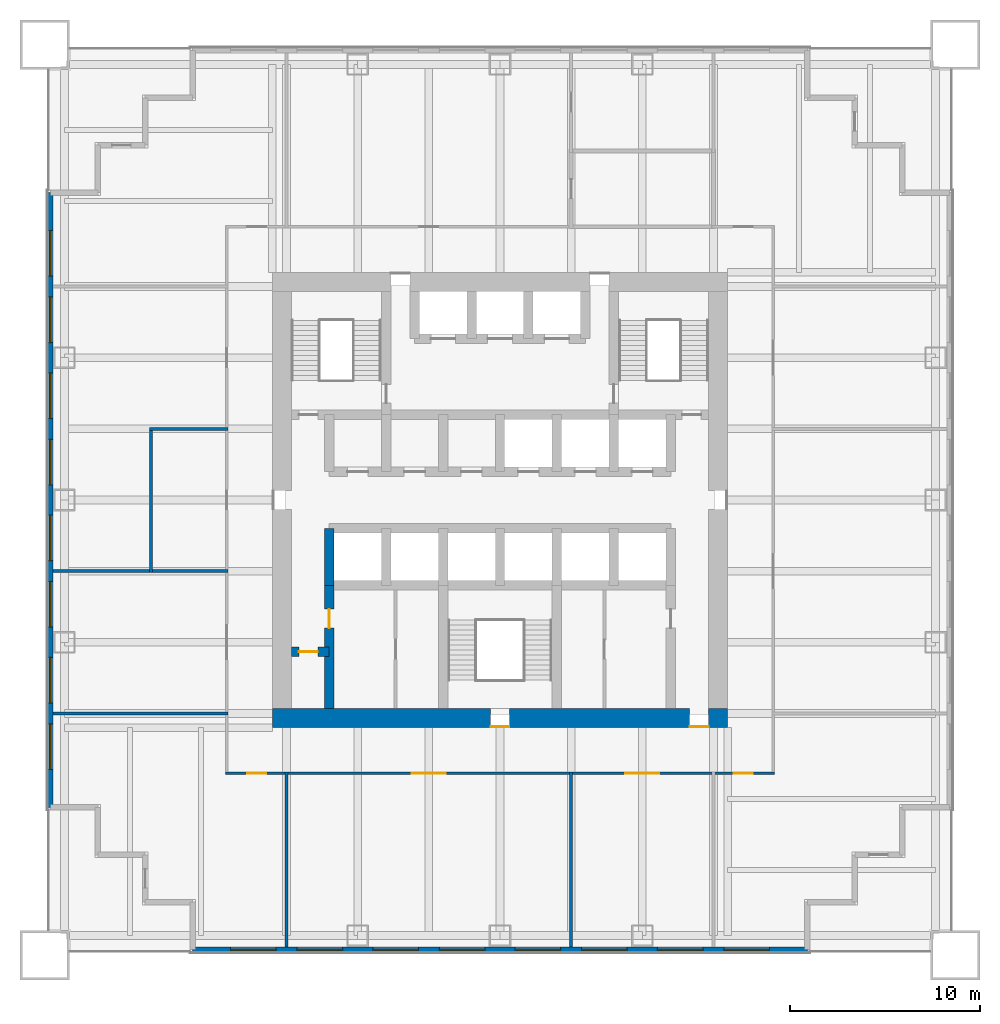
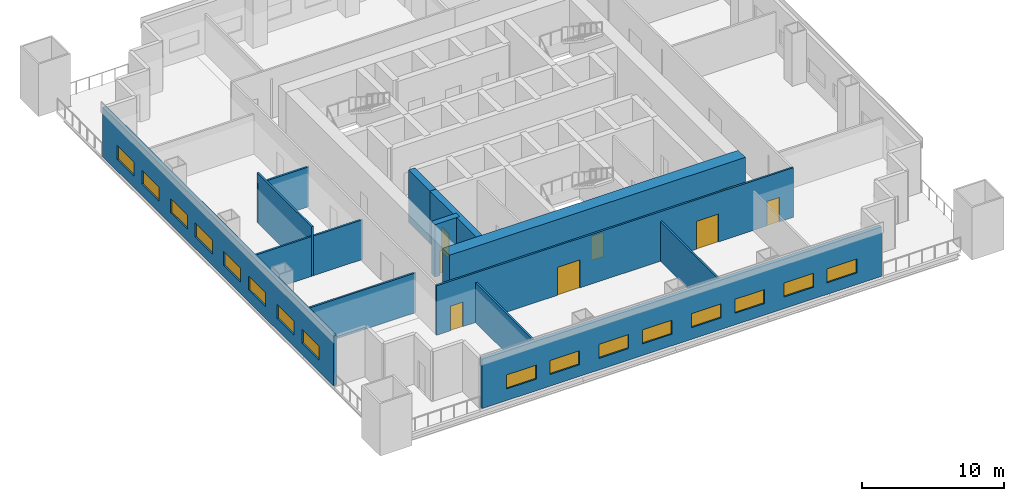
# One storey, part 2 of 7: 16 windows, 13 walls, 8 doors, 24 openings.
"""IFC4 building model written with IfcOpenShell, lengths in metres."""

import ifcopenshell
import ifcopenshell.guid

model = None  # the IFC model being written
_history = None  # IfcOwnerHistory: only IFC2X3 demands one
_inside = {}  # id of a spatial element -> (the spatial element, [elements in it])
_under = {}  # id of a project, library or spatial element -> (it, [spatial elements below it])
_declared = {}  # id of a project -> (the project, [libraries it declares])
_typed = {}  # id of a type object -> (the type object, [elements of that type])
_made_of = {}  # id of a material, layer set ... -> (it, [elements and type objects made of it])


def new_model(schema):
    """Start an empty IFC model of exactly this schema.

    Asked for "IFC4X3", IfcOpenShell would pick the latest addendum, in which some entities
    have other attributes; the version numbers below select the first issue.
    IFC2X3 requires an IfcOwnerHistory on every rooted entity: one is made here for all.
    """
    global model, _history
    if schema == "IFC4X3":
        model = ifcopenshell.file(schema_version=(4, 3, 0, 0))
    else:
        model = ifcopenshell.file(schema=schema)
    _inside.clear()
    _under.clear()
    _declared.clear()
    _typed.clear()
    _made_of.clear()
    _history = None
    if model.schema == "IFC2X3":
        org = make("IfcOrganization", Name="unknown")
        user = make(
            "IfcPersonAndOrganization",
            ThePerson=make("IfcPerson", FamilyName="unknown"),
            TheOrganization=org,
        )
        app = make(
            "IfcApplication",
            ApplicationDeveloper=org,
            Version="unknown",
            ApplicationFullName="unknown",
            ApplicationIdentifier="unknown",
        )
        _history = make(
            "IfcOwnerHistory",
            OwningUser=user,
            OwningApplication=app,
            ChangeAction="ADDED",
            CreationDate=0,
        )
    return model


def make(cls, **values):
    """One entity of the class cls with the attributes given. An attribute that is None is left unset."""
    return model.create_entity(
        cls, **{name: value for name, value in values.items() if value is not None}
    )


def rooted(cls, **values):
    """An entity with a GlobalId (a new one), such as an element, a storey or a relation."""
    return make(cls, GlobalId=ifcopenshell.guid.new(), OwnerHistory=_history, **values)


def si_unit(unit_type, name, prefix=None):
    """IfcSIUnit, for example si_unit("LENGTHUNIT", "METRE", prefix="MILLI")."""
    return make("IfcSIUnit", UnitType=unit_type, Prefix=prefix, Name=name)


def assignment(units):
    """IfcUnitAssignment: the units of a project."""
    return None if units is None else make("IfcUnitAssignment", Units=units)


def point(xyz):
    """IfcCartesianPoint."""
    return None if xyz is None else make("IfcCartesianPoint", Coordinates=xyz)


def direction(xyz):
    """IfcDirection."""
    return None if xyz is None else make("IfcDirection", DirectionRatios=xyz)


def frame(location, z_axis=None, x_axis=None):
    """IfcAxis2Placement3D, a coordinate frame: its origin and axes. An axis left out is left unset."""
    return make(
        "IfcAxis2Placement3D",
        Location=point(location),
        Axis=direction(z_axis),
        RefDirection=direction(x_axis),
    )


def frame_2d(location, x_axis=None):
    """IfcAxis2Placement2D, a coordinate frame in the plane: its origin and x axis."""
    return make(
        "IfcAxis2Placement2D", Location=point(location), RefDirection=direction(x_axis)
    )


def origin():
    """The frame at (0, 0, 0) with its axes left unset."""
    return frame((0.0, 0.0, 0.0))


def place(relative_to, where):
    """IfcLocalPlacement: puts the frame where relative to a parent placement (None: the world)."""
    return make(
        "IfcLocalPlacement", PlacementRelTo=relative_to, RelativePlacement=where
    )


def context(
    kind, dimensions, precision=None, world=None, true_north=None, identifier=None
):
    """IfcGeometricRepresentationContext, for example the 3D "Model" context."""
    return make(
        "IfcGeometricRepresentationContext",
        ContextIdentifier=identifier,
        ContextType=kind,
        CoordinateSpaceDimension=dimensions,
        Precision=precision,
        WorldCoordinateSystem=world,
        TrueNorth=true_north,
    )


def subcontext(parent, identifier, kind, view, scale=None):
    """IfcGeometricRepresentationSubContext, for example "Body" below "Model"."""
    return make(
        "IfcGeometricRepresentationSubContext",
        ContextIdentifier=identifier,
        ContextType=kind,
        ParentContext=parent,
        TargetScale=scale,
        TargetView=view,
    )


def project(units=None, contexts=None):
    """IfcProject with its units and contexts."""
    return rooted(
        "IfcProject",
        Name="project",
        RepresentationContexts=contexts,
        UnitsInContext=assignment(units),
    )


def spatial(cls, under=None, at=None, **own):
    """A site, building, storey or space (cls), placed at a placement, below another one or the project."""
    s = rooted(cls, ObjectPlacement=at, **own)
    if under is not None:
        _under.setdefault(under.id(), (under, []))[1].append(s)
    return s


def profile(cls, at=None, kind="AREA", **sizes):
    """A parametric profile (cls). Its sizes go by their IFC names, for example OverallWidth=200.0."""
    return make(cls, ProfileType=kind, Position=at, **sizes)


def rectangle(**sizes):
    """IfcRectangleProfileDef."""
    return profile("IfcRectangleProfileDef", **sizes)


def extrude(swept, where, along, depth):
    """IfcExtrudedAreaSolid: the profile swept, set in the frame where, extruded along a direction by depth."""
    return make(
        "IfcExtrudedAreaSolid",
        SweptArea=swept,
        Position=where,
        ExtrudedDirection=direction(along),
        Depth=depth,
    )


def shape(context_of_items, identifier, shape_type, items):
    """IfcShapeRepresentation: the items that make up one representation, for example the "Body"."""
    return make(
        "IfcShapeRepresentation",
        ContextOfItems=context_of_items,
        RepresentationIdentifier=identifier,
        RepresentationType=shape_type,
        Items=items,
    )


def material(Name=None, Category=None):
    """IfcMaterial."""
    return make("IfcMaterial", Name=Name, Category=Category)


def layer(
    of_material, thickness, ventilated=None, Name=None, Category=None, Priority=None
):
    """IfcMaterialLayer: one layer of a wall or slab, of a material (None: an air gap)."""
    return make(
        "IfcMaterialLayer",
        Material=of_material,
        LayerThickness=thickness,
        IsVentilated=ventilated,
        Name=Name,
        Category=Category,
        Priority=Priority,
    )


def layer_set(layers, Name=None):
    """IfcMaterialLayerSet."""
    return make("IfcMaterialLayerSet", MaterialLayers=layers, LayerSetName=Name)


def made_of(thing, what):
    """Note that an element or type object is made of a material, layer set ...; save() writes the relation."""
    if what is not None:
        _made_of.setdefault(what.id(), (what, []))[1].append(thing)
    return thing


def type_object(cls, material=None, **own):
    """A type object (cls), such as IfcWallType, which elements share."""
    return made_of(rooted(cls, **own), material)


def element(
    cls,
    number,
    at=None,
    inside=None,
    cuts=None,
    type_object=None,
    material=None,
    context=None,
    identifier="Body",
    shape_type=None,
    held_by="IfcProductDefinitionShape",
    body=None,
    shapes=None,
    **own,
):
    """One element of the class cls, such as IfcWall. Its Tag is "e" and its number.

    at: its placement. inside: the storey or other place that contains it. cuts: it is an
    opening in that element (IfcRelVoidsElement). A single representation is given by context,
    identifier, shape_type and body (its items); several are given by shapes. held_by: the class
    of the entity that holds the representations. save() writes the other relations.
    """
    e = rooted(cls, Tag="e%d" % number, ObjectPlacement=at, **own)
    if body is not None:
        shapes = [shape(context, identifier, shape_type, body)]
    if shapes is not None:
        e.Representation = make(held_by, Representations=shapes)
    if inside is not None:
        _inside.setdefault(inside.id(), (inside, []))[1].append(e)
    if cuts is not None:
        rooted(
            "IfcRelVoidsElement", RelatingBuildingElement=cuts, RelatedOpeningElement=e
        )
    if type_object is not None:
        _typed.setdefault(type_object.id(), (type_object, []))[1].append(e)
    return made_of(e, material)


def fill(opening, filler):
    """IfcRelFillsElement: the door or window that sits in an opening."""
    return rooted(
        "IfcRelFillsElement",
        RelatingOpeningElement=opening,
        RelatedBuildingElement=filler,
    )


def aggregate(whole, parts):
    """IfcRelAggregates: a whole, such as a stair, and the parts it consists of."""
    return rooted("IfcRelAggregates", RelatingObject=whole, RelatedObjects=parts)


def save(model, path):
    """Write the relations noted so far, then the file.

    IfcRelAggregates (storeys below a building ...), IfcRelContainedInSpatialStructure (elements
    in a storey), IfcRelDefinesByType, IfcRelAssociatesMaterial and IfcRelDeclares: one each for
    every whole, place, type object, material and project.
    """
    for whole, parts in _under.values():
        aggregate(whole, parts)
    for where, things in _inside.values():
        rooted(
            "IfcRelContainedInSpatialStructure",
            RelatedElements=things,
            RelatingStructure=where,
        )
    for kind, things in _typed.values():
        rooted("IfcRelDefinesByType", RelatedObjects=things, RelatingType=kind)
    for what, things in _made_of.values():
        rooted("IfcRelAssociatesMaterial", RelatedObjects=things, RelatingMaterial=what)
    for by, libraries in _declared.values():
        rooted("IfcRelDeclares", RelatingContext=by, RelatedDefinitions=libraries)
    model.write(path)


model = new_model("IFC4")

# Units and contexts
model_context = context("Model", 3, precision=1e-05, world=origin(), true_north=direction((0.0, 1.0)))
body_context = subcontext(model_context, "Body", "Model", "MODEL_VIEW")
ifc_project = project(units=[si_unit("LENGTHUNIT", "METRE"), si_unit("AREAUNIT", "SQUARE_METRE"), si_unit("VOLUMEUNIT", "CUBIC_METRE"), si_unit("PLANEANGLEUNIT", "RADIAN"), si_unit("MASSUNIT", "GRAM", prefix="KILO")], contexts=[model_context])

# Site, building, storey
site_placement = place(None, origin())
site = spatial("IfcSite", under=ifc_project, at=site_placement, CompositionType="ELEMENT")
building_placement = place(site_placement, origin())
building = spatial("IfcBuilding", under=site, at=building_placement, Name="Tarangal Relay Tower", CompositionType="ELEMENT")
storey_placement = place(building_placement, frame((0.0, 0.0, 167.39990234375)))
storey = spatial("IfcBuildingStorey", under=building, at=storey_placement, Name="L34", CompositionType="ELEMENT", Elevation=167.39990234375)

# Wall, opening, door
ifc_material_1 = material(Name="Concrete fc' 60 MPa", Category="concrete")
ifc_layer_1 = layer(ifc_material_1, 0.5)
ifc_layer_set_1 = layer_set([ifc_layer_1], Name="Core inner wall 500")
wall_type_1 = type_object("IfcWallType", Name="Core inner wall 500", PredefinedType="SHEAR", material=ifc_layer_set_1)
wall_1_placement = place(storey_placement, frame((-11.0, -8.0, 0.0), z_axis=(0.0, 0.0, 1.0), x_axis=(1.0, 0.0, 0.0)))
wall_1 = element("IfcWall", 1, at=wall_1_placement, inside=storey, type_object=wall_type_1, Name="Core wall YM8 L34", PredefinedType="SHEAR", context=body_context, shape_type="SweptSolid", body=[
    extrude(rectangle(XDim=2.0, YDim=0.5, at=frame_2d((1.0, 0.0))), origin(), (0.0, 0.0, 1.0), 4.5),
])
opening_1_placement = place(wall_1_placement, frame((0.39990234375, 0.0, 0.0)))
opening_1 = element("IfcOpeningElement", 2, at=opening_1_placement, cuts=wall_1, Name="Opening D1", PredefinedType="OPENING", context=body_context, shape_type="SweptSolid", body=[
    extrude(rectangle(XDim=1.0, YDim=2.10009765625, at=frame_2d((0.5, 1.050048828125))), frame((0.0, 0.260009765625, 0.0), z_axis=(0.0, -1.0, 0.0), x_axis=(1.0, 0.0, 0.0)), (0.0, 0.0, 1.0), 0.52001953125),
])
ifc_material_2 = material(Name="Hardwood door", Category="wood")
door_type_1 = type_object("IfcDoorType", Name="WC door 1000 x 2100", OperationType="SINGLE_SWING_LEFT", PredefinedType="DOOR", material=ifc_material_2)
door_1_placement = place(opening_1_placement, origin())
door_1 = element("IfcDoor", 3, at=door_1_placement, inside=storey, type_object=door_type_1, Name="Accessible WC door L34", OperationType="SINGLE_SWING_LEFT", OverallHeight=2.10009765625, OverallWidth=1.0, PredefinedType="DOOR", context=body_context, shape_type="SweptSolid", body=[
    extrude(rectangle(XDim=1.0, YDim=2.10009765625, at=frame_2d((0.5, 1.050048828125))), frame((0.0, 0.02490234375, 0.0), z_axis=(0.0, -1.0, 0.0), x_axis=(1.0, 0.0, 0.0)), (0.0, 0.0, 1.0), 0.050048828125),
])
fill(opening_1, door_1)

# Wall
wall_2_placement = place(storey_placement, frame((-9.0, -4.5, 0.0), z_axis=(0.0, 0.0, 1.0), x_axis=(0.0, 1.0, 0.0)))
element("IfcWall", 4, at=wall_2_placement, inside=storey, type_object=wall_type_1, Name="Core wall XM9S L34", PredefinedType="SHEAR", context=body_context, shape_type="SweptSolid", body=[
    extrude(rectangle(XDim=3.0, YDim=0.5, at=frame_2d((1.5, 0.0))), origin(), (0.0, 0.0, 1.0), 4.5),
])

# Wall, opening, door
wall_3_placement = place(storey_placement, frame((-9.0, -11.0, 0.0), z_axis=(0.0, 0.0, 1.0), x_axis=(0.0, 1.0, 0.0)))
wall_3 = element("IfcWall", 5, at=wall_3_placement, inside=storey, type_object=wall_type_1, Name="Core wall XM9W L34", PredefinedType="SHEAR", context=body_context, shape_type="SweptSolid", body=[
    extrude(rectangle(XDim=6.5, YDim=0.5, at=frame_2d((3.25, 0.0))), origin(), (0.0, 0.0, 1.0), 4.5),
])
opening_2_placement = place(wall_3_placement, frame((4.25, 0.0, 0.0)))
opening_2 = element("IfcOpeningElement", 6, at=opening_2_placement, cuts=wall_3, Name="Opening D1", PredefinedType="OPENING", context=body_context, shape_type="SweptSolid", body=[
    extrude(rectangle(XDim=1.0, YDim=2.10009765625, at=frame_2d((0.5, 1.050048828125))), frame((0.0, 0.260009765625, 0.0), z_axis=(0.0, -1.0, 0.0), x_axis=(1.0, 0.0, 0.0)), (0.0, 0.0, 1.0), 0.52001953125),
])
door_2_placement = place(opening_2_placement, origin())
door_2 = element("IfcDoor", 7, at=door_2_placement, inside=storey, type_object=door_type_1, Name="Male WC door L34", OperationType="SINGLE_SWING_LEFT", OverallHeight=2.10009765625, OverallWidth=1.0, PredefinedType="DOOR", context=body_context, shape_type="SweptSolid", body=[
    extrude(rectangle(XDim=1.0, YDim=2.10009765625, at=frame_2d((0.5, 1.050048828125))), frame((0.0, 0.02490234375, 0.0), z_axis=(0.0, -1.0, 0.0), x_axis=(1.0, 0.0, 0.0)), (0.0, 0.0, 1.0), 0.050048828125),
])
fill(opening_2, door_2)

# Wall, openings, doors
ifc_layer_2 = layer(ifc_material_1, 1.0)
ifc_layer_set_2 = layer_set([ifc_layer_2], Name="Core wall 1000")
wall_type_2 = type_object("IfcWallType", Name="Core wall 1000", PredefinedType="SHEAR", material=ifc_layer_set_2)
wall_4_placement = place(storey_placement, frame((12.0, -11.5, 0.0), z_axis=(0.0, 0.0, 1.0), x_axis=(-1.0, 0.0, 0.0)))
wall_4 = element("IfcWall", 8, at=wall_4_placement, inside=storey, type_object=wall_type_2, Name="Core wall S L34", PredefinedType="SHEAR", context=body_context, shape_type="SweptSolid", body=[
    extrude(rectangle(XDim=24.0, YDim=1.0, at=frame_2d((12.0, 0.0))), origin(), (0.0, 0.0, 1.0), 4.5),
])
opening_3_placement = place(wall_4_placement, frame((11.5, 0.0, 0.0)))
opening_3 = element("IfcOpeningElement", 9, at=opening_3_placement, cuts=wall_4, Name="Opening FD1", PredefinedType="OPENING", context=body_context, shape_type="SweptSolid", body=[
    extrude(rectangle(XDim=1.0, YDim=2.10009765625, at=frame_2d((0.5, 1.050048828125))), frame((0.0, 0.510009765625, 0.0), z_axis=(0.0, -1.0, 0.0), x_axis=(1.0, 0.0, 0.0)), (0.0, 0.0, 1.0), 1.02001953125),
])
opening_4_placement = place(wall_4_placement, frame((1.0, 0.0, 0.0)))
opening_4 = element("IfcOpeningElement", 10, at=opening_4_placement, cuts=wall_4, Name="Opening FD3", PredefinedType="OPENING", context=body_context, shape_type="SweptSolid", body=[
    extrude(rectangle(XDim=1.0, YDim=2.39990234375, at=frame_2d((0.5, 1.199951171875))), frame((0.0, 0.510009765625, 0.0), z_axis=(0.0, -1.0, 0.0), x_axis=(1.0, 0.0, 0.0)), (0.0, 0.0, 1.0), 1.02001953125),
])
ifc_material_3 = material(Name="Steel door with hardwood frame", Category="steel")
door_type_2 = type_object("IfcDoorType", Name="Fire door 1000 x 2100", OperationType="SINGLE_SWING_LEFT", PredefinedType="DOOR", material=ifc_material_3)
door_3_placement = place(opening_3_placement, origin())
door_3 = element("IfcDoor", 11, at=door_3_placement, inside=storey, type_object=door_type_2, Name="Stair ST-C door L34", OperationType="SINGLE_SWING_LEFT", OverallHeight=2.10009765625, OverallWidth=1.0, PredefinedType="DOOR", context=body_context, shape_type="SweptSolid", body=[
    extrude(rectangle(XDim=1.0, YDim=2.10009765625, at=frame_2d((0.5, 1.050048828125))), frame((0.0, 0.48486328125, 0.0), z_axis=(0.0, -1.0, 0.0), x_axis=(1.0, 0.0, 0.0)), (0.0, 0.0, 1.0), 0.050048828125),
])
fill(opening_3, door_3)
door_type_3 = type_object("IfcDoorType", Name="Fire door 1000 x 2400 core entry", OperationType="SINGLE_SWING_RIGHT", PredefinedType="DOOR", material=ifc_material_3)
door_4_placement = place(opening_4_placement, origin())
door_4 = element("IfcDoor", 12, at=door_4_placement, inside=storey, type_object=door_type_3, Name="Core entry door south east L34", OperationType="SINGLE_SWING_RIGHT", OverallHeight=2.39990234375, OverallWidth=1.0, PredefinedType="DOOR", context=body_context, shape_type="SweptSolid", body=[
    extrude(rectangle(XDim=1.0, YDim=2.39990234375, at=frame_2d((0.5, 1.199951171875))), frame((0.0, 0.48486328125, 0.0), z_axis=(0.0, -1.0, 0.0), x_axis=(1.0, 0.0, 0.0)), (0.0, 0.0, 1.0), 0.050048828125),
])
fill(opening_4, door_4)

# Wall, openings, windows
ifc_material_4 = material(Name="Insulated precast concrete fc' 40 MPa", Category="concrete")
ifc_layer_3 = layer(ifc_material_4, 0.300048828125)
ifc_layer_set_3 = layer_set([ifc_layer_3], Name="Insulated precast concrete fc' 40 MPa")
wall_type_3 = type_object("IfcWallType", Name="Facade wall precast 300", PredefinedType="SOLIDWALL", material=ifc_layer_set_3)
wall_5_placement = place(storey_placement, frame((16.199951171875, -23.699951171875, 0.0), z_axis=(0.0, 0.0, 1.0), x_axis=(-1.0, 0.0, 0.0)))
wall_5 = element("IfcWall", 13, at=wall_5_placement, inside=storey, type_object=wall_type_3, Name="Facade wall S facade L34", PredefinedType="SOLIDWALL", context=body_context, shape_type="SweptSolid", body=[
    extrude(rectangle(XDim=32.39990234375, YDim=0.300048828125, at=frame_2d((16.199951171875, 0.0))), origin(), (0.0, 0.0, 1.0), 4.25),
])
opening_5_placement = place(wall_5_placement, frame((2.0, 0.0, 1.0)))
opening_5 = element("IfcOpeningElement", 14, at=opening_5_placement, cuts=wall_5, Name="Opening WN1", PredefinedType="OPENING", context=body_context, shape_type="SweptSolid", body=[
    extrude(rectangle(XDim=2.39990234375, YDim=1.199951171875, at=frame_2d((1.199951171875, 0.60009765625))), frame((0.0, 0.159912109375, 0.0), z_axis=(0.0, -1.0, 0.0), x_axis=(1.0, 0.0, 0.0)), (0.0, 0.0, 1.0), 0.320068359375),
])
opening_6_placement = place(wall_5_placement, frame((5.5, 0.0, 1.0)))
opening_6 = element("IfcOpeningElement", 15, at=opening_6_placement, cuts=wall_5, Name="Opening WN1", PredefinedType="OPENING", context=body_context, shape_type="SweptSolid", body=[
    extrude(rectangle(XDim=2.39990234375, YDim=1.199951171875, at=frame_2d((1.199951171875, 0.60009765625))), frame((0.0, 0.159912109375, 0.0), z_axis=(0.0, -1.0, 0.0), x_axis=(1.0, 0.0, 0.0)), (0.0, 0.0, 1.0), 0.320068359375),
])
opening_7_placement = place(wall_5_placement, frame((9.5, 0.0, 1.0)))
opening_7 = element("IfcOpeningElement", 16, at=opening_7_placement, cuts=wall_5, Name="Opening WN1", PredefinedType="OPENING", context=body_context, shape_type="SweptSolid", body=[
    extrude(rectangle(XDim=2.39990234375, YDim=1.199951171875, at=frame_2d((1.199951171875, 0.60009765625))), frame((0.0, 0.159912109375, 0.0), z_axis=(0.0, -1.0, 0.0), x_axis=(1.0, 0.0, 0.0)), (0.0, 0.0, 1.0), 0.320068359375),
])
opening_8_placement = place(wall_5_placement, frame((13.0, 0.0, 1.0)))
opening_8 = element("IfcOpeningElement", 17, at=opening_8_placement, cuts=wall_5, Name="Opening WN1", PredefinedType="OPENING", context=body_context, shape_type="SweptSolid", body=[
    extrude(rectangle(XDim=2.39990234375, YDim=1.199951171875, at=frame_2d((1.199951171875, 0.60009765625))), frame((0.0, 0.159912109375, 0.0), z_axis=(0.0, -1.0, 0.0), x_axis=(1.0, 0.0, 0.0)), (0.0, 0.0, 1.0), 0.320068359375),
])
opening_9_placement = place(wall_5_placement, frame((17.0, 0.0, 1.0)))
opening_9 = element("IfcOpeningElement", 18, at=opening_9_placement, cuts=wall_5, Name="Opening WN1", PredefinedType="OPENING", context=body_context, shape_type="SweptSolid", body=[
    extrude(rectangle(XDim=2.39990234375, YDim=1.199951171875, at=frame_2d((1.199951171875, 0.60009765625))), frame((0.0, 0.159912109375, 0.0), z_axis=(0.0, -1.0, 0.0), x_axis=(1.0, 0.0, 0.0)), (0.0, 0.0, 1.0), 0.320068359375),
])
opening_10_placement = place(wall_5_placement, frame((20.5, 0.0, 1.0)))
opening_10 = element("IfcOpeningElement", 19, at=opening_10_placement, cuts=wall_5, Name="Opening WN1", PredefinedType="OPENING", context=body_context, shape_type="SweptSolid", body=[
    extrude(rectangle(XDim=2.39990234375, YDim=1.199951171875, at=frame_2d((1.199951171875, 0.60009765625))), frame((0.0, 0.159912109375, 0.0), z_axis=(0.0, -1.0, 0.0), x_axis=(1.0, 0.0, 0.0)), (0.0, 0.0, 1.0), 0.320068359375),
])
opening_11_placement = place(wall_5_placement, frame((24.5, 0.0, 1.0)))
opening_11 = element("IfcOpeningElement", 20, at=opening_11_placement, cuts=wall_5, Name="Opening WN1", PredefinedType="OPENING", context=body_context, shape_type="SweptSolid", body=[
    extrude(rectangle(XDim=2.39990234375, YDim=1.199951171875, at=frame_2d((1.199951171875, 0.60009765625))), frame((0.0, 0.159912109375, 0.0), z_axis=(0.0, -1.0, 0.0), x_axis=(1.0, 0.0, 0.0)), (0.0, 0.0, 1.0), 0.320068359375),
])
opening_12_placement = place(wall_5_placement, frame((28.0, 0.0, 1.0)))
opening_12 = element("IfcOpeningElement", 21, at=opening_12_placement, cuts=wall_5, Name="Opening WN1", PredefinedType="OPENING", context=body_context, shape_type="SweptSolid", body=[
    extrude(rectangle(XDim=2.39990234375, YDim=1.199951171875, at=frame_2d((1.199951171875, 0.60009765625))), frame((0.0, 0.159912109375, 0.0), z_axis=(0.0, -1.0, 0.0), x_axis=(1.0, 0.0, 0.0)), (0.0, 0.0, 1.0), 0.320068359375),
])
ifc_material_5 = material(Name="Dark tinted double glazing in black aluminium frame", Category="aluminium")
window_type = type_object("IfcWindowType", Name="Ribbon window 2400 x 1200", PartitioningType="SINGLE_PANEL", PredefinedType="WINDOW", material=ifc_material_5)
window_1_placement = place(opening_5_placement, origin())
window_1 = element("IfcWindow", 22, at=window_1_placement, inside=storey, type_object=window_type, Name="Ribbon window WN1 S facade L34", OverallHeight=1.199951171875, OverallWidth=2.39990234375, PartitioningType="SINGLE_PANEL", PredefinedType="WINDOW", context=body_context, shape_type="SweptSolid", body=[
    extrude(rectangle(XDim=2.39990234375, YDim=1.199951171875, at=frame_2d((1.199951171875, 0.60009765625))), frame((0.0, 0.030029296875, 0.0), z_axis=(0.0, -1.0, 0.0), x_axis=(1.0, 0.0, 0.0)), (0.0, 0.0, 1.0), 0.06005859375),
])
fill(opening_5, window_1)
window_2_placement = place(opening_6_placement, origin())
window_2 = element("IfcWindow", 23, at=window_2_placement, inside=storey, type_object=window_type, Name="Ribbon window WN1 S facade L34", OverallHeight=1.199951171875, OverallWidth=2.39990234375, PartitioningType="SINGLE_PANEL", PredefinedType="WINDOW", context=body_context, shape_type="SweptSolid", body=[
    extrude(rectangle(XDim=2.39990234375, YDim=1.199951171875, at=frame_2d((1.199951171875, 0.60009765625))), frame((0.0, 0.030029296875, 0.0), z_axis=(0.0, -1.0, 0.0), x_axis=(1.0, 0.0, 0.0)), (0.0, 0.0, 1.0), 0.06005859375),
])
fill(opening_6, window_2)
window_3_placement = place(opening_7_placement, origin())
window_3 = element("IfcWindow", 24, at=window_3_placement, inside=storey, type_object=window_type, Name="Ribbon window WN1 S facade L34", OverallHeight=1.199951171875, OverallWidth=2.39990234375, PartitioningType="SINGLE_PANEL", PredefinedType="WINDOW", context=body_context, shape_type="SweptSolid", body=[
    extrude(rectangle(XDim=2.39990234375, YDim=1.199951171875, at=frame_2d((1.199951171875, 0.60009765625))), frame((0.0, 0.030029296875, 0.0), z_axis=(0.0, -1.0, 0.0), x_axis=(1.0, 0.0, 0.0)), (0.0, 0.0, 1.0), 0.06005859375),
])
fill(opening_7, window_3)
window_4_placement = place(opening_8_placement, origin())
window_4 = element("IfcWindow", 25, at=window_4_placement, inside=storey, type_object=window_type, Name="Ribbon window WN1 S facade L34", OverallHeight=1.199951171875, OverallWidth=2.39990234375, PartitioningType="SINGLE_PANEL", PredefinedType="WINDOW", context=body_context, shape_type="SweptSolid", body=[
    extrude(rectangle(XDim=2.39990234375, YDim=1.199951171875, at=frame_2d((1.199951171875, 0.60009765625))), frame((0.0, 0.030029296875, 0.0), z_axis=(0.0, -1.0, 0.0), x_axis=(1.0, 0.0, 0.0)), (0.0, 0.0, 1.0), 0.06005859375),
])
fill(opening_8, window_4)
window_5_placement = place(opening_9_placement, origin())
window_5 = element("IfcWindow", 26, at=window_5_placement, inside=storey, type_object=window_type, Name="Ribbon window WN1 S facade L34", OverallHeight=1.199951171875, OverallWidth=2.39990234375, PartitioningType="SINGLE_PANEL", PredefinedType="WINDOW", context=body_context, shape_type="SweptSolid", body=[
    extrude(rectangle(XDim=2.39990234375, YDim=1.199951171875, at=frame_2d((1.199951171875, 0.60009765625))), frame((0.0, 0.030029296875, 0.0), z_axis=(0.0, -1.0, 0.0), x_axis=(1.0, 0.0, 0.0)), (0.0, 0.0, 1.0), 0.06005859375),
])
fill(opening_9, window_5)
window_6_placement = place(opening_10_placement, origin())
window_6 = element("IfcWindow", 27, at=window_6_placement, inside=storey, type_object=window_type, Name="Ribbon window WN1 S facade L34", OverallHeight=1.199951171875, OverallWidth=2.39990234375, PartitioningType="SINGLE_PANEL", PredefinedType="WINDOW", context=body_context, shape_type="SweptSolid", body=[
    extrude(rectangle(XDim=2.39990234375, YDim=1.199951171875, at=frame_2d((1.199951171875, 0.60009765625))), frame((0.0, 0.030029296875, 0.0), z_axis=(0.0, -1.0, 0.0), x_axis=(1.0, 0.0, 0.0)), (0.0, 0.0, 1.0), 0.06005859375),
])
fill(opening_10, window_6)
window_7_placement = place(opening_11_placement, origin())
window_7 = element("IfcWindow", 28, at=window_7_placement, inside=storey, type_object=window_type, Name="Ribbon window WN1 S facade L34", OverallHeight=1.199951171875, OverallWidth=2.39990234375, PartitioningType="SINGLE_PANEL", PredefinedType="WINDOW", context=body_context, shape_type="SweptSolid", body=[
    extrude(rectangle(XDim=2.39990234375, YDim=1.199951171875, at=frame_2d((1.199951171875, 0.60009765625))), frame((0.0, 0.030029296875, 0.0), z_axis=(0.0, -1.0, 0.0), x_axis=(1.0, 0.0, 0.0)), (0.0, 0.0, 1.0), 0.06005859375),
])
fill(opening_11, window_7)
window_8_placement = place(opening_12_placement, origin())
window_8 = element("IfcWindow", 29, at=window_8_placement, inside=storey, type_object=window_type, Name="Ribbon window WN1 S facade L34", OverallHeight=1.199951171875, OverallWidth=2.39990234375, PartitioningType="SINGLE_PANEL", PredefinedType="WINDOW", context=body_context, shape_type="SweptSolid", body=[
    extrude(rectangle(XDim=2.39990234375, YDim=1.199951171875, at=frame_2d((1.199951171875, 0.60009765625))), frame((0.0, 0.030029296875, 0.0), z_axis=(0.0, -1.0, 0.0), x_axis=(1.0, 0.0, 0.0)), (0.0, 0.0, 1.0), 0.06005859375),
])
fill(opening_12, window_8)

wall_6_placement = place(storey_placement, frame((-23.699951171875, -16.199951171875, 0.0), z_axis=(0.0, 0.0, 1.0), x_axis=(0.0, 1.0, 0.0)))
wall_6 = element("IfcWall", 30, at=wall_6_placement, inside=storey, type_object=wall_type_3, Name="Facade wall W facade L34", PredefinedType="SOLIDWALL", context=body_context, shape_type="SweptSolid", body=[
    extrude(rectangle(XDim=32.39990234375, YDim=0.300048828125, at=frame_2d((16.199951171875, 0.0))), origin(), (0.0, 0.0, 1.0), 4.25),
])
opening_13_placement = place(wall_6_placement, frame((2.0, 0.0, 1.0)))
opening_13 = element("IfcOpeningElement", 31, at=opening_13_placement, cuts=wall_6, Name="Opening WN1", PredefinedType="OPENING", context=body_context, shape_type="SweptSolid", body=[
    extrude(rectangle(XDim=2.39990234375, YDim=1.199951171875, at=frame_2d((1.199951171875, 0.60009765625))), frame((0.0, 0.159912109375, 0.0), z_axis=(0.0, -1.0, 0.0), x_axis=(1.0, 0.0, 0.0)), (0.0, 0.0, 1.0), 0.320068359375),
])
opening_14_placement = place(wall_6_placement, frame((5.5, 0.0, 1.0)))
opening_14 = element("IfcOpeningElement", 32, at=opening_14_placement, cuts=wall_6, Name="Opening WN1", PredefinedType="OPENING", context=body_context, shape_type="SweptSolid", body=[
    extrude(rectangle(XDim=2.39990234375, YDim=1.199951171875, at=frame_2d((1.199951171875, 0.60009765625))), frame((0.0, 0.159912109375, 0.0), z_axis=(0.0, -1.0, 0.0), x_axis=(1.0, 0.0, 0.0)), (0.0, 0.0, 1.0), 0.320068359375),
])
opening_15_placement = place(wall_6_placement, frame((9.5, 0.0, 1.0)))
opening_15 = element("IfcOpeningElement", 33, at=opening_15_placement, cuts=wall_6, Name="Opening WN1", PredefinedType="OPENING", context=body_context, shape_type="SweptSolid", body=[
    extrude(rectangle(XDim=2.39990234375, YDim=1.199951171875, at=frame_2d((1.199951171875, 0.60009765625))), frame((0.0, 0.159912109375, 0.0), z_axis=(0.0, -1.0, 0.0), x_axis=(1.0, 0.0, 0.0)), (0.0, 0.0, 1.0), 0.320068359375),
])
opening_16_placement = place(wall_6_placement, frame((13.0, 0.0, 1.0)))
opening_16 = element("IfcOpeningElement", 34, at=opening_16_placement, cuts=wall_6, Name="Opening WN1", PredefinedType="OPENING", context=body_context, shape_type="SweptSolid", body=[
    extrude(rectangle(XDim=2.39990234375, YDim=1.199951171875, at=frame_2d((1.199951171875, 0.60009765625))), frame((0.0, 0.159912109375, 0.0), z_axis=(0.0, -1.0, 0.0), x_axis=(1.0, 0.0, 0.0)), (0.0, 0.0, 1.0), 0.320068359375),
])
opening_17_placement = place(wall_6_placement, frame((17.0, 0.0, 1.0)))
opening_17 = element("IfcOpeningElement", 35, at=opening_17_placement, cuts=wall_6, Name="Opening WN1", PredefinedType="OPENING", context=body_context, shape_type="SweptSolid", body=[
    extrude(rectangle(XDim=2.39990234375, YDim=1.199951171875, at=frame_2d((1.199951171875, 0.60009765625))), frame((0.0, 0.159912109375, 0.0), z_axis=(0.0, -1.0, 0.0), x_axis=(1.0, 0.0, 0.0)), (0.0, 0.0, 1.0), 0.320068359375),
])
opening_18_placement = place(wall_6_placement, frame((20.5, 0.0, 1.0)))
opening_18 = element("IfcOpeningElement", 36, at=opening_18_placement, cuts=wall_6, Name="Opening WN1", PredefinedType="OPENING", context=body_context, shape_type="SweptSolid", body=[
    extrude(rectangle(XDim=2.39990234375, YDim=1.199951171875, at=frame_2d((1.199951171875, 0.60009765625))), frame((0.0, 0.159912109375, 0.0), z_axis=(0.0, -1.0, 0.0), x_axis=(1.0, 0.0, 0.0)), (0.0, 0.0, 1.0), 0.320068359375),
])
opening_19_placement = place(wall_6_placement, frame((24.5, 0.0, 1.0)))
opening_19 = element("IfcOpeningElement", 37, at=opening_19_placement, cuts=wall_6, Name="Opening WN1", PredefinedType="OPENING", context=body_context, shape_type="SweptSolid", body=[
    extrude(rectangle(XDim=2.39990234375, YDim=1.199951171875, at=frame_2d((1.199951171875, 0.60009765625))), frame((0.0, 0.159912109375, 0.0), z_axis=(0.0, -1.0, 0.0), x_axis=(1.0, 0.0, 0.0)), (0.0, 0.0, 1.0), 0.320068359375),
])
opening_20_placement = place(wall_6_placement, frame((28.0, 0.0, 1.0)))
opening_20 = element("IfcOpeningElement", 38, at=opening_20_placement, cuts=wall_6, Name="Opening WN1", PredefinedType="OPENING", context=body_context, shape_type="SweptSolid", body=[
    extrude(rectangle(XDim=2.39990234375, YDim=1.199951171875, at=frame_2d((1.199951171875, 0.60009765625))), frame((0.0, 0.159912109375, 0.0), z_axis=(0.0, -1.0, 0.0), x_axis=(1.0, 0.0, 0.0)), (0.0, 0.0, 1.0), 0.320068359375),
])
window_9_placement = place(opening_13_placement, origin())
window_9 = element("IfcWindow", 39, at=window_9_placement, inside=storey, type_object=window_type, Name="Ribbon window WN1 W facade L34", OverallHeight=1.199951171875, OverallWidth=2.39990234375, PartitioningType="SINGLE_PANEL", PredefinedType="WINDOW", context=body_context, shape_type="SweptSolid", body=[
    extrude(rectangle(XDim=2.39990234375, YDim=1.199951171875, at=frame_2d((1.199951171875, 0.60009765625))), frame((0.0, 0.030029296875, 0.0), z_axis=(0.0, -1.0, 0.0), x_axis=(1.0, 0.0, 0.0)), (0.0, 0.0, 1.0), 0.06005859375),
])
fill(opening_13, window_9)
window_10_placement = place(opening_14_placement, origin())
window_10 = element("IfcWindow", 40, at=window_10_placement, inside=storey, type_object=window_type, Name="Ribbon window WN1 W facade L34", OverallHeight=1.199951171875, OverallWidth=2.39990234375, PartitioningType="SINGLE_PANEL", PredefinedType="WINDOW", context=body_context, shape_type="SweptSolid", body=[
    extrude(rectangle(XDim=2.39990234375, YDim=1.199951171875, at=frame_2d((1.199951171875, 0.60009765625))), frame((0.0, 0.030029296875, 0.0), z_axis=(0.0, -1.0, 0.0), x_axis=(1.0, 0.0, 0.0)), (0.0, 0.0, 1.0), 0.06005859375),
])
fill(opening_14, window_10)
window_11_placement = place(opening_15_placement, origin())
window_11 = element("IfcWindow", 41, at=window_11_placement, inside=storey, type_object=window_type, Name="Ribbon window WN1 W facade L34", OverallHeight=1.199951171875, OverallWidth=2.39990234375, PartitioningType="SINGLE_PANEL", PredefinedType="WINDOW", context=body_context, shape_type="SweptSolid", body=[
    extrude(rectangle(XDim=2.39990234375, YDim=1.199951171875, at=frame_2d((1.199951171875, 0.60009765625))), frame((0.0, 0.030029296875, 0.0), z_axis=(0.0, -1.0, 0.0), x_axis=(1.0, 0.0, 0.0)), (0.0, 0.0, 1.0), 0.06005859375),
])
fill(opening_15, window_11)
window_12_placement = place(opening_16_placement, origin())
window_12 = element("IfcWindow", 42, at=window_12_placement, inside=storey, type_object=window_type, Name="Ribbon window WN1 W facade L34", OverallHeight=1.199951171875, OverallWidth=2.39990234375, PartitioningType="SINGLE_PANEL", PredefinedType="WINDOW", context=body_context, shape_type="SweptSolid", body=[
    extrude(rectangle(XDim=2.39990234375, YDim=1.199951171875, at=frame_2d((1.199951171875, 0.60009765625))), frame((0.0, 0.030029296875, 0.0), z_axis=(0.0, -1.0, 0.0), x_axis=(1.0, 0.0, 0.0)), (0.0, 0.0, 1.0), 0.06005859375),
])
fill(opening_16, window_12)
window_13_placement = place(opening_17_placement, origin())
window_13 = element("IfcWindow", 43, at=window_13_placement, inside=storey, type_object=window_type, Name="Ribbon window WN1 W facade L34", OverallHeight=1.199951171875, OverallWidth=2.39990234375, PartitioningType="SINGLE_PANEL", PredefinedType="WINDOW", context=body_context, shape_type="SweptSolid", body=[
    extrude(rectangle(XDim=2.39990234375, YDim=1.199951171875, at=frame_2d((1.199951171875, 0.60009765625))), frame((0.0, 0.030029296875, 0.0), z_axis=(0.0, -1.0, 0.0), x_axis=(1.0, 0.0, 0.0)), (0.0, 0.0, 1.0), 0.06005859375),
])
fill(opening_17, window_13)
window_14_placement = place(opening_18_placement, origin())
window_14 = element("IfcWindow", 44, at=window_14_placement, inside=storey, type_object=window_type, Name="Ribbon window WN1 W facade L34", OverallHeight=1.199951171875, OverallWidth=2.39990234375, PartitioningType="SINGLE_PANEL", PredefinedType="WINDOW", context=body_context, shape_type="SweptSolid", body=[
    extrude(rectangle(XDim=2.39990234375, YDim=1.199951171875, at=frame_2d((1.199951171875, 0.60009765625))), frame((0.0, 0.030029296875, 0.0), z_axis=(0.0, -1.0, 0.0), x_axis=(1.0, 0.0, 0.0)), (0.0, 0.0, 1.0), 0.06005859375),
])
fill(opening_18, window_14)
window_15_placement = place(opening_19_placement, origin())
window_15 = element("IfcWindow", 45, at=window_15_placement, inside=storey, type_object=window_type, Name="Ribbon window WN1 W facade L34", OverallHeight=1.199951171875, OverallWidth=2.39990234375, PartitioningType="SINGLE_PANEL", PredefinedType="WINDOW", context=body_context, shape_type="SweptSolid", body=[
    extrude(rectangle(XDim=2.39990234375, YDim=1.199951171875, at=frame_2d((1.199951171875, 0.60009765625))), frame((0.0, 0.030029296875, 0.0), z_axis=(0.0, -1.0, 0.0), x_axis=(1.0, 0.0, 0.0)), (0.0, 0.0, 1.0), 0.06005859375),
])
fill(opening_19, window_15)
window_16_placement = place(opening_20_placement, origin())
window_16 = element("IfcWindow", 46, at=window_16_placement, inside=storey, type_object=window_type, Name="Ribbon window WN1 W facade L34", OverallHeight=1.199951171875, OverallWidth=2.39990234375, PartitioningType="SINGLE_PANEL", PredefinedType="WINDOW", context=body_context, shape_type="SweptSolid", body=[
    extrude(rectangle(XDim=2.39990234375, YDim=1.199951171875, at=frame_2d((1.199951171875, 0.60009765625))), frame((0.0, 0.030029296875, 0.0), z_axis=(0.0, -1.0, 0.0), x_axis=(1.0, 0.0, 0.0)), (0.0, 0.0, 1.0), 0.06005859375),
])
fill(opening_20, window_16)

# Wall, openings, doors
ifc_material_6 = material(Name="Gypsum board on steel studs", Category="steel")
ifc_layer_4 = layer(ifc_material_6, 0.14990234375)
ifc_layer_set_4 = layer_set([ifc_layer_4], Name="Partition 150")
wall_type_4 = type_object("IfcWallType", Name="Partition 150", PredefinedType="PARTITIONING", material=ifc_layer_set_4)
wall_7_placement = place(storey_placement, frame((-14.47509765625, -14.39990234375, 0.0), z_axis=(0.0, 0.0, 1.0), x_axis=(1.0, 0.0, 0.0)))
wall_7 = element("IfcWall", 47, at=wall_7_placement, inside=storey, type_object=wall_type_4, Name="Partition PT1 L34", PredefinedType="PARTITIONING", context=body_context, shape_type="SweptSolid", body=[
    extrude(rectangle(XDim=28.9501953125, YDim=0.14990234375, at=frame_2d((14.47509765625, 0.0))), origin(), (0.0, 0.0, 1.0), 4.25),
])
opening_21_placement = place(wall_7_placement, frame((21.074951171875, 0.0, 0.0)))
opening_21 = element("IfcOpeningElement", 48, at=opening_21_placement, cuts=wall_7, Name="Opening DD1", PredefinedType="OPENING", context=body_context, shape_type="SweptSolid", body=[
    extrude(rectangle(XDim=1.800048828125, YDim=2.39990234375, at=frame_2d((0.89990234375, 1.199951171875))), frame((0.0, 0.0849609375, 0.0), z_axis=(0.0, -1.0, 0.0), x_axis=(1.0, 0.0, 0.0)), (0.0, 0.0, 1.0), 0.169921875),
])
opening_22_placement = place(wall_7_placement, frame((9.824951171875, 0.0, 0.0)))
opening_22 = element("IfcOpeningElement", 49, at=opening_22_placement, cuts=wall_7, Name="Opening DD1", PredefinedType="OPENING", context=body_context, shape_type="SweptSolid", body=[
    extrude(rectangle(XDim=1.800048828125, YDim=2.39990234375, at=frame_2d((0.89990234375, 1.199951171875))), frame((0.0, 0.0849609375, 0.0), z_axis=(0.0, -1.0, 0.0), x_axis=(1.0, 0.0, 0.0)), (0.0, 0.0, 1.0), 0.169921875),
])
opening_23_placement = place(wall_7_placement, frame((26.800048828125, 0.0, 0.0)))
opening_23 = element("IfcOpeningElement", 50, at=opening_23_placement, cuts=wall_7, Name="Opening D2", PredefinedType="OPENING", context=body_context, shape_type="SweptSolid", body=[
    extrude(rectangle(XDim=1.0, YDim=2.10009765625, at=frame_2d((0.5, 1.050048828125))), frame((0.0, 0.0849609375, 0.0), z_axis=(0.0, -1.0, 0.0), x_axis=(1.0, 0.0, 0.0)), (0.0, 0.0, 1.0), 0.169921875),
])
opening_24_placement = place(wall_7_placement, frame((1.14990234375, 0.0, 0.0)))
opening_24 = element("IfcOpeningElement", 51, at=opening_24_placement, cuts=wall_7, Name="Opening D2", PredefinedType="OPENING", context=body_context, shape_type="SweptSolid", body=[
    extrude(rectangle(XDim=1.0, YDim=2.10009765625, at=frame_2d((0.5, 1.050048828125))), frame((0.0, 0.0849609375, 0.0), z_axis=(0.0, -1.0, 0.0), x_axis=(1.0, 0.0, 0.0)), (0.0, 0.0, 1.0), 0.169921875),
])
door_type_4 = type_object("IfcDoorType", Name="Door 1000 x 2100", OperationType="SINGLE_SWING_LEFT", PredefinedType="DOOR", material=ifc_material_2)
door_5_placement = place(opening_23_placement, origin())
door_5 = element("IfcDoor", 52, at=door_5_placement, inside=storey, type_object=door_type_4, Name="Door D2 to test lab L34-13", OperationType="SINGLE_SWING_LEFT", OverallHeight=2.10009765625, OverallWidth=1.0, PredefinedType="DOOR", context=body_context, shape_type="SweptSolid", body=[
    extrude(rectangle(XDim=1.0, YDim=2.10009765625, at=frame_2d((0.5, 1.050048828125))), frame((0.0, 0.02490234375, 0.0), z_axis=(0.0, -1.0, 0.0), x_axis=(1.0, 0.0, 0.0)), (0.0, 0.0, 1.0), 0.050048828125),
])
fill(opening_23, door_5)
door_6_placement = place(opening_24_placement, origin())
door_6 = element("IfcDoor", 53, at=door_6_placement, inside=storey, type_object=door_type_4, Name="Door D2 to carrier staff office L34-14", OperationType="SINGLE_SWING_LEFT", OverallHeight=2.10009765625, OverallWidth=1.0, PredefinedType="DOOR", context=body_context, shape_type="SweptSolid", body=[
    extrude(rectangle(XDim=1.0, YDim=2.10009765625, at=frame_2d((0.5, 1.050048828125))), frame((0.0, 0.02490234375, 0.0), z_axis=(0.0, -1.0, 0.0), x_axis=(1.0, 0.0, 0.0)), (0.0, 0.0, 1.0), 0.050048828125),
])
fill(opening_24, door_6)
door_type_5 = type_object("IfcDoorType", Name="Equipment double door 1800 x 2400", OperationType="DOUBLE_DOOR_SINGLE_SWING", PredefinedType="DOOR", material=ifc_material_3)
door_7_placement = place(opening_21_placement, origin())
door_7 = element("IfcDoor", 54, at=door_7_placement, inside=storey, type_object=door_type_5, Name="Door DD1 to rectifier and battery room L34-07", OperationType="DOUBLE_DOOR_SINGLE_SWING", OverallHeight=2.39990234375, OverallWidth=1.800048828125, PredefinedType="DOOR", context=body_context, shape_type="SweptSolid", body=[
    extrude(rectangle(XDim=1.800048828125, YDim=2.39990234375, at=frame_2d((0.89990234375, 1.199951171875))), frame((0.0, 0.02490234375, 0.0), z_axis=(0.0, -1.0, 0.0), x_axis=(1.0, 0.0, 0.0)), (0.0, 0.0, 1.0), 0.050048828125),
])
fill(opening_21, door_7)
door_8_placement = place(opening_22_placement, origin())
door_8 = element("IfcDoor", 55, at=door_8_placement, inside=storey, type_object=door_type_5, Name="Door DD1 to telecom equipment room L34-08", OperationType="DOUBLE_DOOR_SINGLE_SWING", OverallHeight=2.39990234375, OverallWidth=1.800048828125, PredefinedType="DOOR", context=body_context, shape_type="SweptSolid", body=[
    extrude(rectangle(XDim=1.800048828125, YDim=2.39990234375, at=frame_2d((0.89990234375, 1.199951171875))), frame((0.0, 0.02490234375, 0.0), z_axis=(0.0, -1.0, 0.0), x_axis=(1.0, 0.0, 0.0)), (0.0, 0.0, 1.0), 0.050048828125),
])
fill(opening_22, door_8)

# Walls
for number, where, z_axis, x_axis, name in (
    (56, (-23.550048828125, -11.25, 0.0), (0.0, 0.0, 1.0), (1.0, 0.0, 0.0), "Partition PT1 L34"),
    (57, (-23.550048828125, -3.75, 0.0), (0.0, 0.0, 1.0), (1.0, 0.0, 0.0), "Partition PT1 L34"),
):
    element("IfcWall", number, at=place(storey_placement, frame(where, z_axis=z_axis, x_axis=x_axis)), inside=storey, type_object=wall_type_4, Name=name, PredefinedType="PARTITIONING", context=body_context, shape_type="SweptSolid", body=[
        extrude(rectangle(XDim=9.22509765625, YDim=0.14990234375, at=frame_2d((4.612548828125, 0.0))), origin(), (0.0, 0.0, 1.0), 3.409423828125),
    ])
wall_8_placement = place(storey_placement, frame((-18.47509765625, 3.75, 0.0), z_axis=(0.0, 0.0, 1.0), x_axis=(1.0, 0.0, 0.0)))
element("IfcWall", 58, at=wall_8_placement, inside=storey, type_object=wall_type_4, Name="Partition PT1 L34", PredefinedType="PARTITIONING", context=body_context, shape_type="SweptSolid", body=[
    extrude(rectangle(XDim=4.150146484375, YDim=0.14990234375, at=frame_2d((2.0751953125, 0.0))), origin(), (0.0, 0.0, 1.0), 3.409423828125),
])
wall_9_placement = place(storey_placement, frame((-18.39990234375, -3.824951171875, 0.0), z_axis=(0.0, 0.0, 1.0), x_axis=(0.0, 1.0, 0.0)))
element("IfcWall", 59, at=wall_9_placement, inside=storey, type_object=wall_type_4, Name="Partition PT1 L34", PredefinedType="PARTITIONING", context=body_context, shape_type="SweptSolid", body=[
    extrude(rectangle(XDim=7.64990234375, YDim=0.14990234375, at=frame_2d((3.824951171875, 0.0))), origin(), (0.0, 0.0, 1.0), 4.25),
])
for number, where, z_axis, x_axis, name in (
    (60, (-11.25, -23.550048828125, 0.0), (0.0, 0.0, 1.0), (0.0, 1.0, 0.0), "Partition PT1 L34"),
    (61, (3.75, -23.550048828125, 0.0), (0.0, 0.0, 1.0), (0.0, 1.0, 0.0), "Partition PT1 L34"),
):
    element("IfcWall", number, at=place(storey_placement, frame(where, z_axis=z_axis, x_axis=x_axis)), inside=storey, type_object=wall_type_4, Name=name, PredefinedType="PARTITIONING", context=body_context, shape_type="SweptSolid", body=[
        extrude(rectangle(XDim=9.22509765625, YDim=0.14990234375, at=frame_2d((4.612548828125, 0.0))), origin(), (0.0, 0.0, 1.0), 3.409423828125),
    ])

save(model, "model.ifc")
